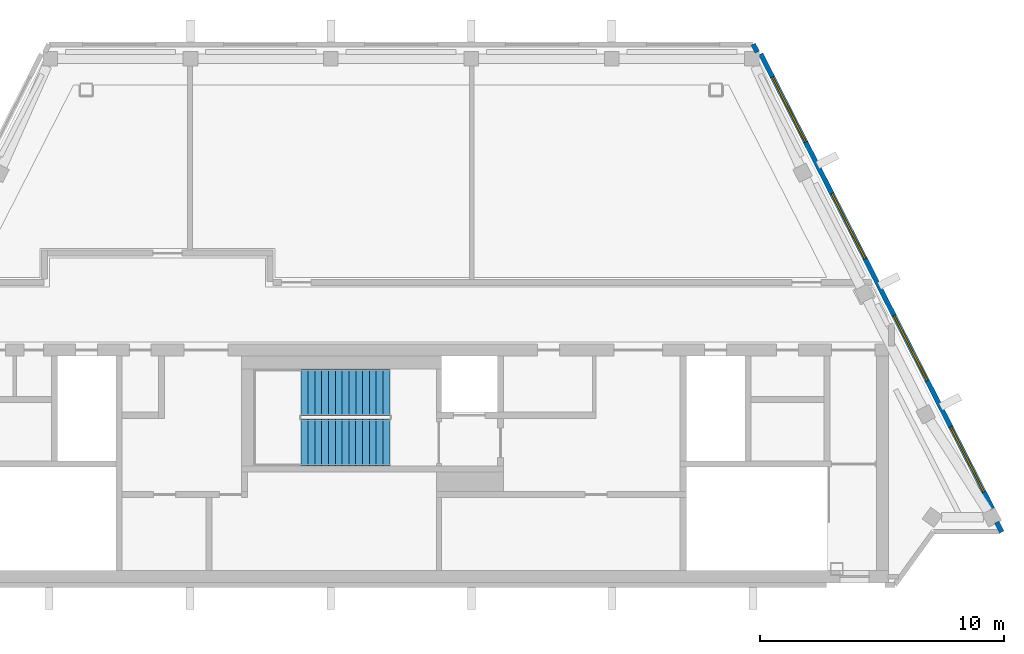
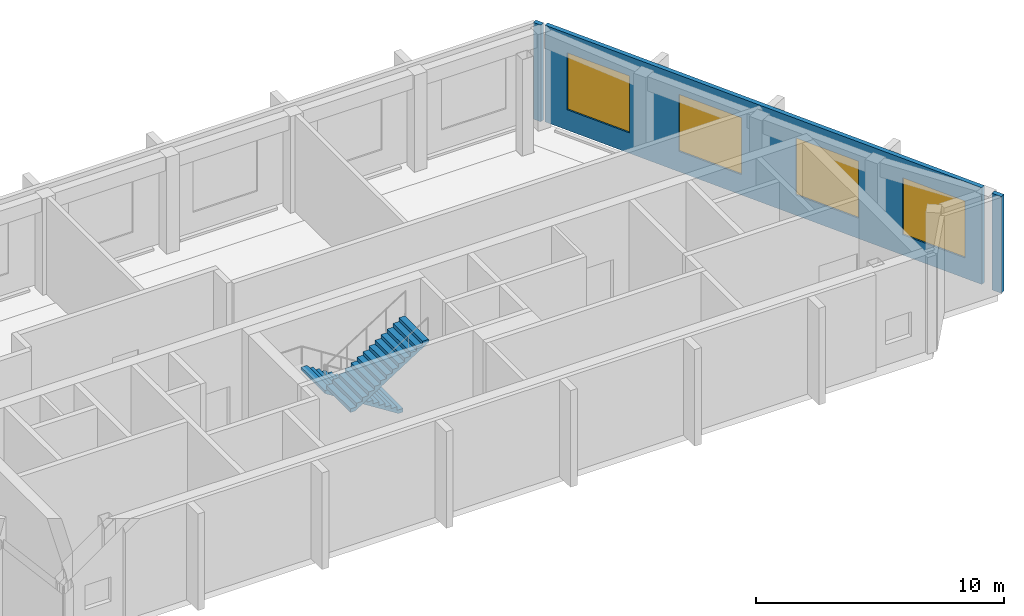
# One storey, part 4 of 5: 4 windows, 3 walls, 2 stair flights, 4 openings, 1 element without a shape of its own.
"""IFC4 building model written with IfcOpenShell, lengths in metres."""

from ifc_helpers import new_model, si_unit, direction, frame, frame_2d, origin, place, context, subcontext, project, spatial, polyline, rectangle, outline, extrude, material, type_object, element, fill, aggregate, save


model = new_model("IFC4")

# Units and contexts
model_context = context("Model", 3, precision=1e-05, world=origin(), true_north=direction((0.0, 1.0)))
body_context = subcontext(model_context, "Body", "Model", "MODEL_VIEW")
ifc_project = project(units=[si_unit("LENGTHUNIT", "METRE"), si_unit("AREAUNIT", "SQUARE_METRE"), si_unit("VOLUMEUNIT", "CUBIC_METRE"), si_unit("PLANEANGLEUNIT", "RADIAN"), si_unit("MASSUNIT", "GRAM", prefix="KILO")], contexts=[model_context])

# Site, building, storey
site_placement = place(None, origin())
site = spatial("IfcSite", under=ifc_project, at=site_placement, CompositionType="ELEMENT")
building_placement = place(site_placement, origin())
building = spatial("IfcBuilding", under=site, at=building_placement, Name="Quipu Civic Tower", CompositionType="ELEMENT")
storey_placement = place(building_placement, frame((0.0, 0.0, 363.0)))
storey = spatial("IfcBuildingStorey", under=building, at=storey_placement, Name="L84", CompositionType="ELEMENT", Elevation=363.0)

# Wall
ifc_material_1 = material(Name="Precast concrete C40/50", Category="concrete")
wall_type = type_object("IfcWallType", Name="Precast cladding wall", PredefinedType="SOLIDWALL", material=ifc_material_1)
wall_1_placement = place(storey_placement, frame((24.644287109375, -8.921142578125, 0.0), z_axis=(0.0, 0.0, 1.0), x_axis=(-0.453837590009, 0.891084419062, 0.0)))
element("IfcWall", 1, at=wall_1_placement, inside=storey, type_object=wall_type, Name="Precast cladding wall L84 11", PredefinedType="SOLIDWALL", context=body_context, shape_type="SweptSolid", body=[
    extrude(rectangle(XDim=0.456298828125, YDim=0.199951171875, at=frame_2d((0.22802734375, 0.0))), origin(), (0.0, 0.0, 1.0), 4.75),
])

# Wall, openings, windows
wall_2_placement = place(storey_placement, frame((24.27392578125, -7.992431640625, 0.0), z_axis=(0.0, 0.0, 1.0), x_axis=(-0.453998845176, 0.891002271927, 0.0)))
wall_2 = element("IfcWall", 2, at=wall_2_placement, inside=storey, type_object=wall_type, Name="Precast cladding wall L84 12", PredefinedType="SOLIDWALL", context=body_context, shape_type="SweptSolid", body=[
    extrude(rectangle(XDim=20.97314453125, YDim=0.199951171875, at=frame_2d((10.486572265625, 0.0))), origin(), (0.0, 0.0, 1.0), 4.75),
])
opening_1_placement = place(wall_2_placement, frame((0.81005859375, 0.0, 1.0)))
opening_1 = element("IfcOpeningElement", 3, at=opening_1_placement, cuts=wall_2, Name="Opening W-L84-12.1", PredefinedType="OPENING", context=body_context, shape_type="SweptSolid", body=[
    extrude(rectangle(XDim=3.0, YDim=2.800048828125, at=frame_2d((1.5, 1.39990234375))), frame((0.0, 0.10986328125, 0.0), z_axis=(0.0, -1.0, 0.0), x_axis=(1.0, 0.0, 0.0)), (0.0, 0.0, 1.0), 0.219970703125),
])
opening_2_placement = place(wall_2_placement, frame((5.92822265625, 0.0, 1.0)))
opening_2 = element("IfcOpeningElement", 4, at=opening_2_placement, cuts=wall_2, Name="Opening W-L84-12.2", PredefinedType="OPENING", context=body_context, shape_type="SweptSolid", body=[
    extrude(rectangle(XDim=3.0, YDim=2.800048828125, at=frame_2d((1.5, 1.39990234375))), frame((0.0, 0.10986328125, 0.0), z_axis=(0.0, -1.0, 0.0), x_axis=(1.0, 0.0, 0.0)), (0.0, 0.0, 1.0), 0.219970703125),
])
opening_3_placement = place(wall_2_placement, frame((11.54443359375, 0.0, 1.0)))
opening_3 = element("IfcOpeningElement", 5, at=opening_3_placement, cuts=wall_2, Name="Opening W-L84-12.3", PredefinedType="OPENING", context=body_context, shape_type="SweptSolid", body=[
    extrude(rectangle(XDim=3.0, YDim=2.800048828125, at=frame_2d((1.5, 1.39990234375))), frame((0.0, 0.10986328125, 0.0), z_axis=(0.0, -1.0, 0.0), x_axis=(1.0, 0.0, 0.0)), (0.0, 0.0, 1.0), 0.219970703125),
])
opening_4_placement = place(wall_2_placement, frame((16.912841796875, 0.0, 1.0)))
opening_4 = element("IfcOpeningElement", 6, at=opening_4_placement, cuts=wall_2, Name="Opening W-L84-12.4", PredefinedType="OPENING", context=body_context, shape_type="SweptSolid", body=[
    extrude(rectangle(XDim=3.0, YDim=2.800048828125, at=frame_2d((1.5, 1.39990234375))), frame((0.0, 0.10986328125, 0.0), z_axis=(0.0, -1.0, 0.0), x_axis=(1.0, 0.0, 0.0)), (0.0, 0.0, 1.0), 0.219970703125),
])
ifc_material_2 = material(Name="Anodised aluminium louvre", Category="aluminium")
window_type = type_object("IfcWindowType", Name="Plant louvre window P4", PartitioningType="SINGLE_PANEL", PredefinedType="WINDOW", material=ifc_material_2)
window_1_placement = place(opening_1_placement, origin())
window_1 = element("IfcWindow", 7, at=window_1_placement, inside=storey, type_object=window_type, Name="Plant louvre window L84.12.1", OverallHeight=2.800048828125, OverallWidth=3.0, PartitioningType="SINGLE_PANEL", PredefinedType="WINDOW", context=body_context, shape_type="SweptSolid", body=[
    extrude(rectangle(XDim=3.0, YDim=2.800048828125, at=frame_2d((1.5, 1.39990234375))), frame((0.0, 0.030029296875, 0.0), z_axis=(0.0, -1.0, 0.0), x_axis=(1.0, 0.0, 0.0)), (0.0, 0.0, 1.0), 0.06005859375),
])
fill(opening_1, window_1)
window_2_placement = place(opening_2_placement, origin())
window_2 = element("IfcWindow", 8, at=window_2_placement, inside=storey, type_object=window_type, Name="Plant louvre window L84.12.2", OverallHeight=2.800048828125, OverallWidth=3.0, PartitioningType="SINGLE_PANEL", PredefinedType="WINDOW", context=body_context, shape_type="SweptSolid", body=[
    extrude(rectangle(XDim=3.0, YDim=2.800048828125, at=frame_2d((1.5, 1.39990234375))), frame((0.0, 0.030029296875, 0.0), z_axis=(0.0, -1.0, 0.0), x_axis=(1.0, 0.0, 0.0)), (0.0, 0.0, 1.0), 0.06005859375),
])
fill(opening_2, window_2)
window_3_placement = place(opening_3_placement, origin())
window_3 = element("IfcWindow", 9, at=window_3_placement, inside=storey, type_object=window_type, Name="Plant louvre window L84.12.3", OverallHeight=2.800048828125, OverallWidth=3.0, PartitioningType="SINGLE_PANEL", PredefinedType="WINDOW", context=body_context, shape_type="SweptSolid", body=[
    extrude(rectangle(XDim=3.0, YDim=2.800048828125, at=frame_2d((1.5, 1.39990234375))), frame((0.0, 0.030029296875, 0.0), z_axis=(0.0, -1.0, 0.0), x_axis=(1.0, 0.0, 0.0)), (0.0, 0.0, 1.0), 0.06005859375),
])
fill(opening_3, window_3)
window_4_placement = place(opening_4_placement, origin())
window_4 = element("IfcWindow", 10, at=window_4_placement, inside=storey, type_object=window_type, Name="Plant louvre window L84.12.4", OverallHeight=2.800048828125, OverallWidth=3.0, PartitioningType="SINGLE_PANEL", PredefinedType="WINDOW", context=body_context, shape_type="SweptSolid", body=[
    extrude(rectangle(XDim=3.0, YDim=2.800048828125, at=frame_2d((1.5, 1.39990234375))), frame((0.0, 0.030029296875, 0.0), z_axis=(0.0, -1.0, 0.0), x_axis=(1.0, 0.0, 0.0)), (0.0, 0.0, 1.0), 0.06005859375),
])
fill(opening_4, window_4)

# Wall
wall_3_placement = place(storey_placement, frame((14.6123046875, 10.767578125, 0.0), z_axis=(0.0, 0.0, 1.0), x_axis=(-0.453855997003, 0.891075043969, 0.0)))
element("IfcWall", 11, at=wall_3_placement, inside=storey, type_object=wall_type, Name="Precast cladding wall L84 13", PredefinedType="SOLIDWALL", context=body_context, shape_type="SweptSolid", body=[
    extrude(rectangle(XDim=0.366943359375, YDim=0.199951171875, at=frame_2d((0.18359375, 0.0))), origin(), (0.0, 0.0, 1.0), 4.75),
])

# Stair, stair flights
ifc_material_3 = material(Name="Concrete C40/50", Category="concrete")
stair_type = type_object("IfcStairType", Name="Half turn stair 1910", PredefinedType="HALF_TURN_STAIR", material=ifc_material_3)
stair_placement = place(storey_placement, origin())
stair = element("IfcStair", 12, at=stair_placement, inside=storey, type_object=stair_type, Name="Crown access stair", PredefinedType="HALF_TURN_STAIR")
ifc_material_4 = material(Name="Concrete C40/50", Category="concrete")
stair_flight_type = type_object("IfcStairFlightType", Name="Stair flight 1910", PredefinedType="STRAIGHT", material=ifc_material_4)
stair_flight_1_placement = place(storey_placement, frame((-0.4599609375, -3.18505859375, 0.0), z_axis=(0.0, 0.0, 1.0), x_axis=(-1.0, 0.0, 0.0)))
stair_flight_1 = element("IfcStairFlight", 13, at=stair_flight_1_placement, type_object=stair_flight_type, Name="ST-5 flight 1", NumberOfRisers=14, NumberOfTreads=13, PredefinedType="STRAIGHT", RiserHeight=0.178571429, TreadLength=0.28, context=body_context, shape_type="SweptSolid", body=[
    extrude(outline(polyline([(0.0, 0.0), (0.0, 0.178466796875), (0.280029296875, 0.178466796875), (0.280029296875, 0.357177734375), (0.56005859375, 0.357177734375), (0.56005859375, 0.53564453125), (0.840087890625, 0.53564453125), (0.840087890625, 0.71435546875), (1.1201171875, 0.71435546875), (1.1201171875, 0.892822265625), (1.39990234375, 0.892822265625), (1.39990234375, 1.071533203125), (1.679931640625, 1.071533203125), (1.679931640625, 1.25), (1.9599609375, 1.25), (1.9599609375, 1.428466796875), (2.239990234375, 1.428466796875), (2.239990234375, 1.607177734375), (2.52001953125, 1.607177734375), (2.52001953125, 1.78564453125), (2.800048828125, 1.78564453125), (2.800048828125, 1.96435546875), (3.080078125, 1.96435546875), (3.080078125, 2.142822265625), (3.360107421875, 2.142822265625), (3.360107421875, 2.321533203125), (3.639892578125, 2.321533203125), (3.639892578125, 2.5), (3.639892578125, 2.178955078125), (0.223388671875, 0.0), (0.0, 0.0)])), frame((0.0, 0.955078125, 0.0), z_axis=(0.0, -1.0, 0.0), x_axis=(1.0, 0.0, 0.0)), (0.0, 0.0, 1.0), 1.909912109375),
])
stair_flight_2_placement = place(storey_placement, frame((-4.10009765625, -5.2451171875, 2.5), z_axis=(0.0, 0.0, 1.0), x_axis=(1.0, 0.0, 0.0)))
stair_flight_2 = element("IfcStairFlight", 14, at=stair_flight_2_placement, type_object=stair_flight_type, Name="ST-5 flight 2", NumberOfRisers=14, NumberOfTreads=13, PredefinedType="STRAIGHT", RiserHeight=0.178571429, TreadLength=0.28, context=body_context, shape_type="SweptSolid", body=[
    extrude(outline(polyline([(0.0, 0.0), (0.0, 0.178466796875), (0.280029296875, 0.178466796875), (0.280029296875, 0.357177734375), (0.56005859375, 0.357177734375), (0.56005859375, 0.53564453125), (0.840087890625, 0.53564453125), (0.840087890625, 0.71435546875), (1.1201171875, 0.71435546875), (1.1201171875, 0.892822265625), (1.39990234375, 0.892822265625), (1.39990234375, 1.071533203125), (1.679931640625, 1.071533203125), (1.679931640625, 1.25), (1.9599609375, 1.25), (1.9599609375, 1.428466796875), (2.239990234375, 1.428466796875), (2.239990234375, 1.607177734375), (2.52001953125, 1.607177734375), (2.52001953125, 1.78564453125), (2.800048828125, 1.78564453125), (2.800048828125, 1.96435546875), (3.080078125, 1.96435546875), (3.080078125, 2.142822265625), (3.360107421875, 2.142822265625), (3.360107421875, 2.321533203125), (3.639892578125, 2.321533203125), (3.639892578125, 2.5), (3.639892578125, 2.178955078125), (0.223388671875, 0.0), (0.0, 0.0)])), frame((0.0, 0.955078125, 0.0), z_axis=(0.0, -1.0, 0.0), x_axis=(1.0, 0.0, 0.0)), (0.0, 0.0, 1.0), 1.909912109375),
])
aggregate(stair, [stair_flight_1, stair_flight_2])

save(model, "model.ifc")
